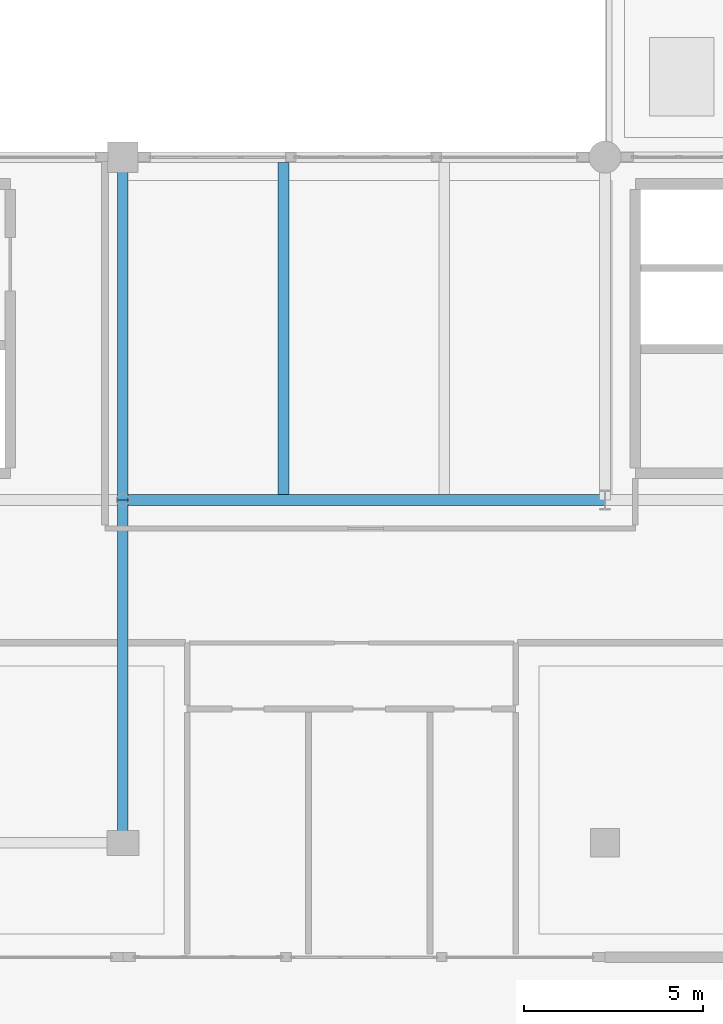
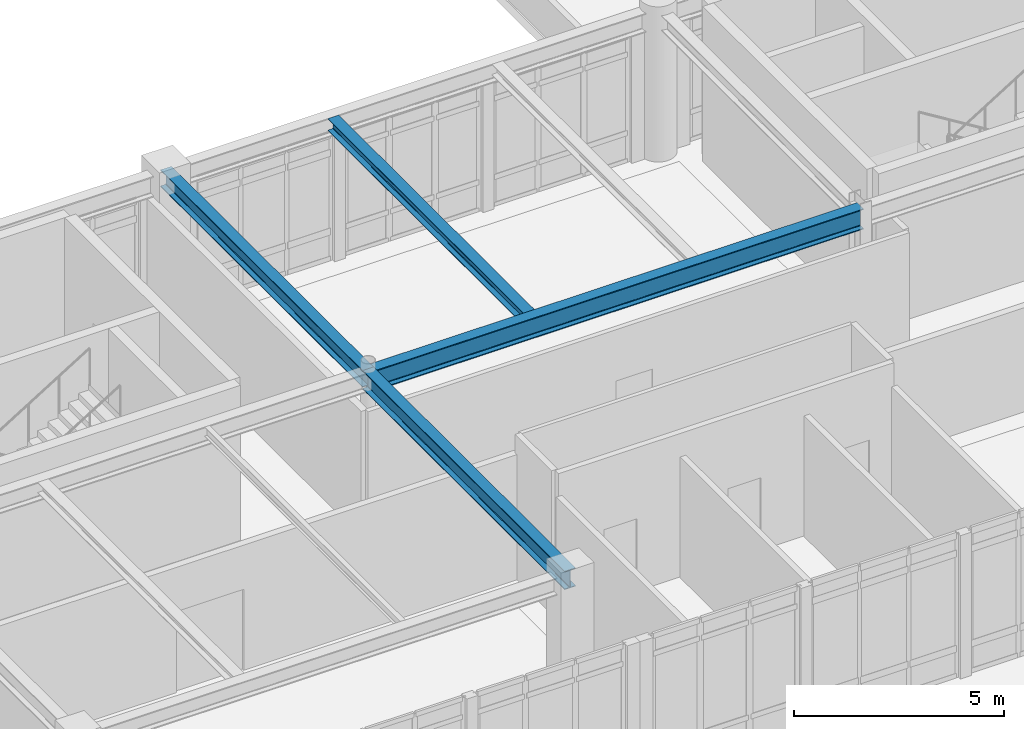
# One storey, part 13 of 55: 4 beams.
"""IFC4 building model written with IfcOpenShell, lengths in metres."""

from ifc_helpers import new_model, si_unit, direction, frame, origin, origin_2d, place, context, subcontext, project, spatial, i_section, extrude, material, material_profile, profile_set, type_object, element, save


model = new_model("IFC4")

# Units and contexts
model_context = context("Model", 3, precision=1e-05, world=origin(), true_north=direction((0.0, 1.0)))
body_context = subcontext(model_context, "Body", "Model", "MODEL_VIEW")
ifc_project = project(units=[si_unit("LENGTHUNIT", "METRE"), si_unit("AREAUNIT", "SQUARE_METRE"), si_unit("VOLUMEUNIT", "CUBIC_METRE"), si_unit("PLANEANGLEUNIT", "RADIAN"), si_unit("MASSUNIT", "GRAM", prefix="KILO")], contexts=[model_context])

# Site, building, storey
site_placement = place(None, origin())
site = spatial("IfcSite", under=ifc_project, at=site_placement, CompositionType="ELEMENT")
building_placement = place(site_placement, origin())
building = spatial("IfcBuilding", under=site, at=building_placement, Name="Fikremerkos Civic Library", CompositionType="ELEMENT")
storey_placement = place(building_placement, frame((0.0, 0.0, 18.89990234375)))
storey = spatial("IfcBuildingStorey", under=building, at=storey_placement, Name="L04", CompositionType="ELEMENT", Elevation=18.89990234375)

# Beams
ifc_material = material(Name="Steel S355", Category="steel")
ifc_material_profile_1 = material_profile(ifc_material, i_section(OverallWidth=0.300048828125, OverallDepth=0.35009765625, WebThickness=0.010009765625, FlangeThickness=0.017578125, FilletRadius=0.027099609375, at=origin_2d()), Name="HEA 360")
ifc_profile_set_1 = profile_set([ifc_material_profile_1], Name="Steel S355")
beam_type_1 = type_object("IfcBeamType", Name="Floor joist JS-13 HEA 360", PredefinedType="JOIST", material=ifc_profile_set_1)
beam_1_placement = place(storey_placement, frame((37.199951171875, 21.75, 4.065185546875), z_axis=(0.0, 1.0, 0.0), x_axis=(-1.0, 0.0, 0.0)))
element("IfcBeam", 1, at=beam_1_placement, inside=storey, type_object=beam_type_1, Name="Floor joist JS-13 L04 #584", PredefinedType="JOIST", context=body_context, shape_type="SweptSolid", body=[
    extrude(i_section(OverallWidth=0.300048828125, OverallDepth=0.35009765625, WebThickness=0.010009765625, FlangeThickness=0.017578125, FilletRadius=0.027099609375, at=origin_2d()), origin(), (0.0, 0.0, 1.0), 9.300048828125),
])
ifc_material_profile_2 = material_profile(ifc_material, i_section(OverallWidth=0.300048828125, OverallDepth=0.590087890625, WebThickness=0.012939453125, FlangeThickness=0.02490234375, FilletRadius=0.027099609375, at=origin_2d()), Name="HEA 600")
ifc_profile_set_2 = profile_set([ifc_material_profile_2], Name="Steel S355")
beam_type_2 = type_object("IfcBeamType", Name="Primary girder BM-15 HEA 600", PredefinedType="BEAM", material=ifc_profile_set_2)
beam_2_placement = place(storey_placement, frame((32.699951171875, 21.60009765625, 3.945068359375), z_axis=(1.0, 0.0, 0.0), x_axis=(0.0, 1.0, 0.0)))
element("IfcBeam", 2, at=beam_2_placement, inside=storey, type_object=beam_type_2, Name="Primary girder BM-15 L04 grid F", PredefinedType="BEAM", context=body_context, shape_type="SweptSolid", body=[
    extrude(i_section(OverallWidth=0.300048828125, OverallDepth=0.590087890625, WebThickness=0.012939453125, FlangeThickness=0.02490234375, FilletRadius=0.027099609375, at=origin_2d()), origin(), (0.0, 0.0, 1.0), 13.5),
])
ifc_material_profile_3 = material_profile(ifc_material, i_section(OverallWidth=0.300048828125, OverallDepth=0.5400390625, WebThickness=0.012451171875, FlangeThickness=0.02392578125, FilletRadius=0.027099609375, at=origin_2d()), Name="HEA 550")
ifc_profile_set_3 = profile_set([ifc_material_profile_3], Name="Steel S355")
beam_type_3 = type_object("IfcBeamType", Name="Primary girder BM-16 HEA 550", PredefinedType="BEAM", material=ifc_profile_set_3)
beam_3_placement = place(storey_placement, frame((32.699951171875, 12.0, 3.97021484375), z_axis=(0.0, 1.0, 0.0), x_axis=(-1.0, 0.0, 0.0)))
element("IfcBeam", 3, at=beam_3_placement, inside=storey, type_object=beam_type_3, Name="Primary girder BM-16 L04 grid 4", PredefinedType="BEAM", context=body_context, shape_type="SweptSolid", body=[
    extrude(i_section(OverallWidth=0.300048828125, OverallDepth=0.5400390625, WebThickness=0.012451171875, FlangeThickness=0.02392578125, FilletRadius=0.027099609375, at=origin_2d()), origin(), (0.0, 0.0, 1.0), 9.60009765625),
])
ifc_material_profile_4 = material_profile(ifc_material, i_section(OverallWidth=0.300048828125, OverallDepth=0.489990234375, WebThickness=0.011962890625, FlangeThickness=0.02294921875, FilletRadius=0.027099609375, at=origin_2d()), Name="HEA 500")
ifc_profile_set_4 = profile_set([ifc_material_profile_4], Name="Steel S355")
beam_type_4 = type_object("IfcBeamType", Name="Primary girder BM-17 HEA 500", PredefinedType="BEAM", material=ifc_profile_set_4)
beam_4_placement = place(storey_placement, frame((32.699951171875, 21.60009765625, 3.9951171875), z_axis=(0.0, 1.0, 0.0), x_axis=(-1.0, 0.0, 0.0)))
element("IfcBeam", 4, at=beam_4_placement, inside=storey, type_object=beam_type_4, Name="Primary girder BM-17 L04 grid 4", PredefinedType="BEAM", context=body_context, shape_type="SweptSolid", body=[
    extrude(i_section(OverallWidth=0.300048828125, OverallDepth=0.489990234375, WebThickness=0.011962890625, FlangeThickness=0.02294921875, FilletRadius=0.027099609375, at=origin_2d()), origin(), (0.0, 0.0, 1.0), 9.599853515625),
])

save(model, "model.ifc")
